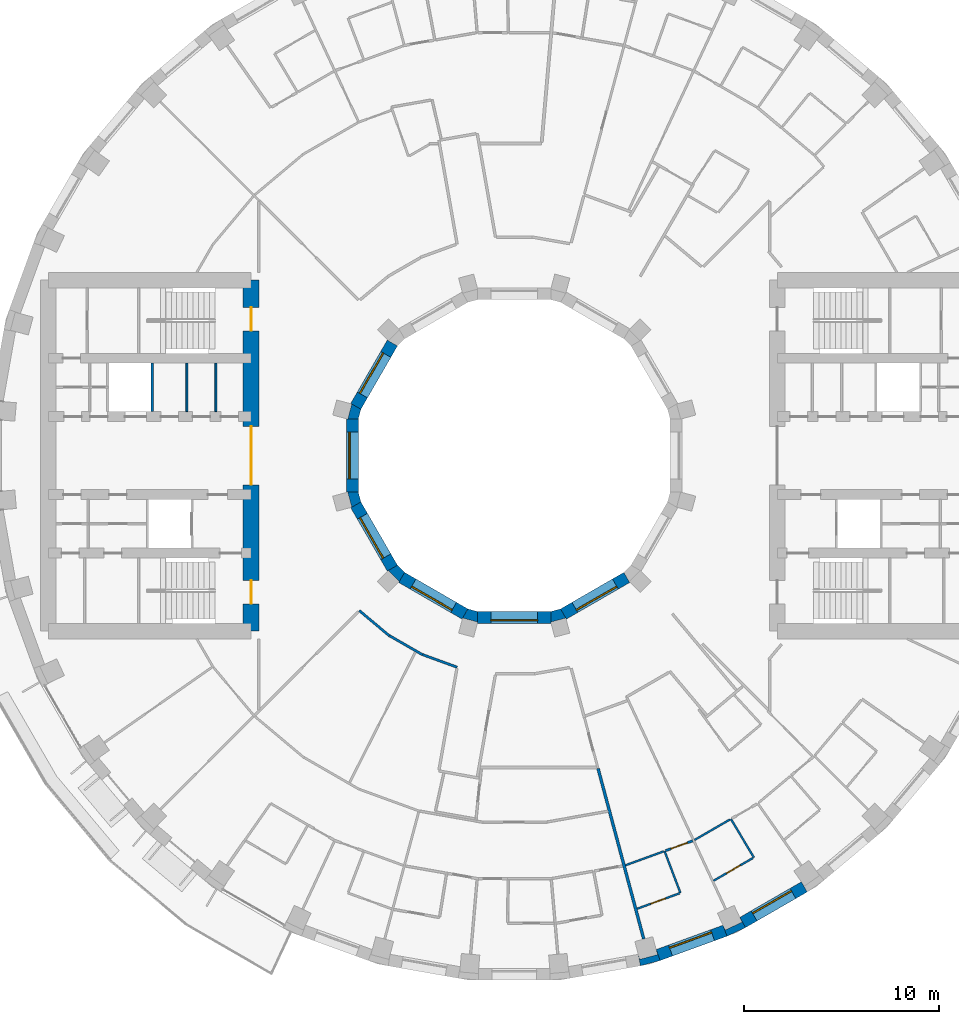
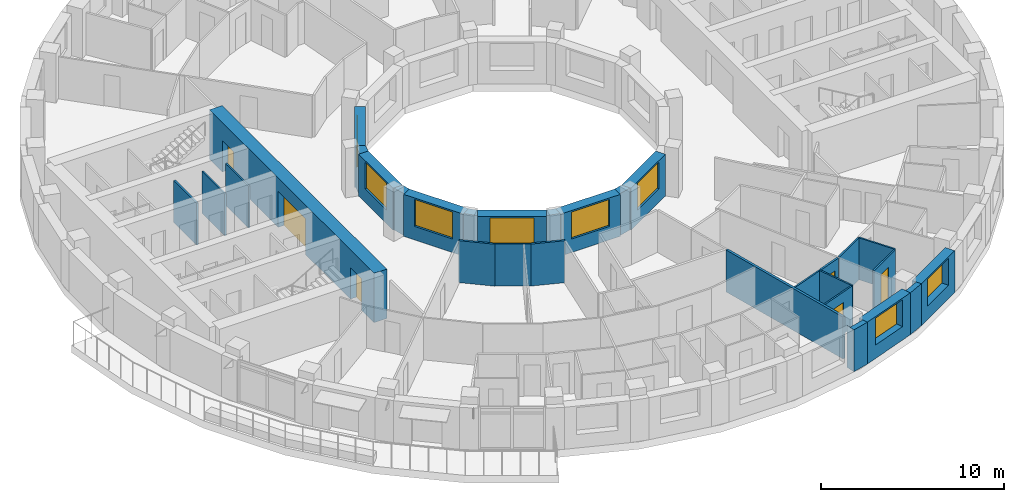
# One storey, part 7 of 16: 30 walls, 8 windows, 6 doors, 14 openings.
"""IFC4 building model written with IfcOpenShell, lengths in metres."""

import ifcopenshell
import ifcopenshell.guid

model = None  # the IFC model being written
_history = None  # IfcOwnerHistory: only IFC2X3 demands one
_inside = {}  # id of a spatial element -> (the spatial element, [elements in it])
_under = {}  # id of a project, library or spatial element -> (it, [spatial elements below it])
_declared = {}  # id of a project -> (the project, [libraries it declares])
_typed = {}  # id of a type object -> (the type object, [elements of that type])
_made_of = {}  # id of a material, layer set ... -> (it, [elements and type objects made of it])


def new_model(schema):
    """Start an empty IFC model of exactly this schema.

    Asked for "IFC4X3", IfcOpenShell would pick the latest addendum, in which some entities
    have other attributes; the version numbers below select the first issue.
    IFC2X3 requires an IfcOwnerHistory on every rooted entity: one is made here for all.
    """
    global model, _history
    if schema == "IFC4X3":
        model = ifcopenshell.file(schema_version=(4, 3, 0, 0))
    else:
        model = ifcopenshell.file(schema=schema)
    _inside.clear()
    _under.clear()
    _declared.clear()
    _typed.clear()
    _made_of.clear()
    _history = None
    if model.schema == "IFC2X3":
        org = make("IfcOrganization", Name="unknown")
        user = make(
            "IfcPersonAndOrganization",
            ThePerson=make("IfcPerson", FamilyName="unknown"),
            TheOrganization=org,
        )
        app = make(
            "IfcApplication",
            ApplicationDeveloper=org,
            Version="unknown",
            ApplicationFullName="unknown",
            ApplicationIdentifier="unknown",
        )
        _history = make(
            "IfcOwnerHistory",
            OwningUser=user,
            OwningApplication=app,
            ChangeAction="ADDED",
            CreationDate=0,
        )
    return model


def make(cls, **values):
    """One entity of the class cls with the attributes given. An attribute that is None is left unset."""
    return model.create_entity(
        cls, **{name: value for name, value in values.items() if value is not None}
    )


def rooted(cls, **values):
    """An entity with a GlobalId (a new one), such as an element, a storey or a relation."""
    return make(cls, GlobalId=ifcopenshell.guid.new(), OwnerHistory=_history, **values)


def si_unit(unit_type, name, prefix=None):
    """IfcSIUnit, for example si_unit("LENGTHUNIT", "METRE", prefix="MILLI")."""
    return make("IfcSIUnit", UnitType=unit_type, Prefix=prefix, Name=name)


def assignment(units):
    """IfcUnitAssignment: the units of a project."""
    return None if units is None else make("IfcUnitAssignment", Units=units)


def point(xyz):
    """IfcCartesianPoint."""
    return None if xyz is None else make("IfcCartesianPoint", Coordinates=xyz)


def direction(xyz):
    """IfcDirection."""
    return None if xyz is None else make("IfcDirection", DirectionRatios=xyz)


def frame(location, z_axis=None, x_axis=None):
    """IfcAxis2Placement3D, a coordinate frame: its origin and axes. An axis left out is left unset."""
    return make(
        "IfcAxis2Placement3D",
        Location=point(location),
        Axis=direction(z_axis),
        RefDirection=direction(x_axis),
    )


def frame_2d(location, x_axis=None):
    """IfcAxis2Placement2D, a coordinate frame in the plane: its origin and x axis."""
    return make(
        "IfcAxis2Placement2D", Location=point(location), RefDirection=direction(x_axis)
    )


def origin():
    """The frame at (0, 0, 0) with its axes left unset."""
    return frame((0.0, 0.0, 0.0))


def place(relative_to, where):
    """IfcLocalPlacement: puts the frame where relative to a parent placement (None: the world)."""
    return make(
        "IfcLocalPlacement", PlacementRelTo=relative_to, RelativePlacement=where
    )


def context(
    kind, dimensions, precision=None, world=None, true_north=None, identifier=None
):
    """IfcGeometricRepresentationContext, for example the 3D "Model" context."""
    return make(
        "IfcGeometricRepresentationContext",
        ContextIdentifier=identifier,
        ContextType=kind,
        CoordinateSpaceDimension=dimensions,
        Precision=precision,
        WorldCoordinateSystem=world,
        TrueNorth=true_north,
    )


def subcontext(parent, identifier, kind, view, scale=None):
    """IfcGeometricRepresentationSubContext, for example "Body" below "Model"."""
    return make(
        "IfcGeometricRepresentationSubContext",
        ContextIdentifier=identifier,
        ContextType=kind,
        ParentContext=parent,
        TargetScale=scale,
        TargetView=view,
    )


def project(units=None, contexts=None):
    """IfcProject with its units and contexts."""
    return rooted(
        "IfcProject",
        Name="project",
        RepresentationContexts=contexts,
        UnitsInContext=assignment(units),
    )


def spatial(cls, under=None, at=None, **own):
    """A site, building, storey or space (cls), placed at a placement, below another one or the project."""
    s = rooted(cls, ObjectPlacement=at, **own)
    if under is not None:
        _under.setdefault(under.id(), (under, []))[1].append(s)
    return s


def polyline(points):
    """IfcPolyline through the points."""
    return make("IfcPolyline", Points=[point(p) for p in points])


def profile(cls, at=None, kind="AREA", **sizes):
    """A parametric profile (cls). Its sizes go by their IFC names, for example OverallWidth=200.0."""
    return make(cls, ProfileType=kind, Position=at, **sizes)


def rectangle(**sizes):
    """IfcRectangleProfileDef."""
    return profile("IfcRectangleProfileDef", **sizes)


def outline(outer, holes=None, kind="AREA"):
    """IfcArbitraryClosedProfileDef: a profile drawn as a closed curve; with holes, ...WithVoids."""
    if holes is None:
        return make("IfcArbitraryClosedProfileDef", ProfileType=kind, OuterCurve=outer)
    return make(
        "IfcArbitraryProfileDefWithVoids",
        ProfileType=kind,
        OuterCurve=outer,
        InnerCurves=holes,
    )


def extrude(swept, where, along, depth):
    """IfcExtrudedAreaSolid: the profile swept, set in the frame where, extruded along a direction by depth."""
    return make(
        "IfcExtrudedAreaSolid",
        SweptArea=swept,
        Position=where,
        ExtrudedDirection=direction(along),
        Depth=depth,
    )


def shape(context_of_items, identifier, shape_type, items):
    """IfcShapeRepresentation: the items that make up one representation, for example the "Body"."""
    return make(
        "IfcShapeRepresentation",
        ContextOfItems=context_of_items,
        RepresentationIdentifier=identifier,
        RepresentationType=shape_type,
        Items=items,
    )


def material(Name=None, Category=None):
    """IfcMaterial."""
    return make("IfcMaterial", Name=Name, Category=Category)


def layer(
    of_material, thickness, ventilated=None, Name=None, Category=None, Priority=None
):
    """IfcMaterialLayer: one layer of a wall or slab, of a material (None: an air gap)."""
    return make(
        "IfcMaterialLayer",
        Material=of_material,
        LayerThickness=thickness,
        IsVentilated=ventilated,
        Name=Name,
        Category=Category,
        Priority=Priority,
    )


def layer_set(layers, Name=None):
    """IfcMaterialLayerSet."""
    return make("IfcMaterialLayerSet", MaterialLayers=layers, LayerSetName=Name)


def made_of(thing, what):
    """Note that an element or type object is made of a material, layer set ...; save() writes the relation."""
    if what is not None:
        _made_of.setdefault(what.id(), (what, []))[1].append(thing)
    return thing


def type_object(cls, material=None, **own):
    """A type object (cls), such as IfcWallType, which elements share."""
    return made_of(rooted(cls, **own), material)


def element(
    cls,
    number,
    at=None,
    inside=None,
    cuts=None,
    type_object=None,
    material=None,
    context=None,
    identifier="Body",
    shape_type=None,
    held_by="IfcProductDefinitionShape",
    body=None,
    shapes=None,
    **own,
):
    """One element of the class cls, such as IfcWall. Its Tag is "e" and its number.

    at: its placement. inside: the storey or other place that contains it. cuts: it is an
    opening in that element (IfcRelVoidsElement). A single representation is given by context,
    identifier, shape_type and body (its items); several are given by shapes. held_by: the class
    of the entity that holds the representations. save() writes the other relations.
    """
    e = rooted(cls, Tag="e%d" % number, ObjectPlacement=at, **own)
    if body is not None:
        shapes = [shape(context, identifier, shape_type, body)]
    if shapes is not None:
        e.Representation = make(held_by, Representations=shapes)
    if inside is not None:
        _inside.setdefault(inside.id(), (inside, []))[1].append(e)
    if cuts is not None:
        rooted(
            "IfcRelVoidsElement", RelatingBuildingElement=cuts, RelatedOpeningElement=e
        )
    if type_object is not None:
        _typed.setdefault(type_object.id(), (type_object, []))[1].append(e)
    return made_of(e, material)


def fill(opening, filler):
    """IfcRelFillsElement: the door or window that sits in an opening."""
    return rooted(
        "IfcRelFillsElement",
        RelatingOpeningElement=opening,
        RelatedBuildingElement=filler,
    )


def aggregate(whole, parts):
    """IfcRelAggregates: a whole, such as a stair, and the parts it consists of."""
    return rooted("IfcRelAggregates", RelatingObject=whole, RelatedObjects=parts)


def save(model, path):
    """Write the relations noted so far, then the file.

    IfcRelAggregates (storeys below a building ...), IfcRelContainedInSpatialStructure (elements
    in a storey), IfcRelDefinesByType, IfcRelAssociatesMaterial and IfcRelDeclares: one each for
    every whole, place, type object, material and project.
    """
    for whole, parts in _under.values():
        aggregate(whole, parts)
    for where, things in _inside.values():
        rooted(
            "IfcRelContainedInSpatialStructure",
            RelatedElements=things,
            RelatingStructure=where,
        )
    for kind, things in _typed.values():
        rooted("IfcRelDefinesByType", RelatedObjects=things, RelatingType=kind)
    for what, things in _made_of.values():
        rooted("IfcRelAssociatesMaterial", RelatedObjects=things, RelatingMaterial=what)
    for by, libraries in _declared.values():
        rooted("IfcRelDeclares", RelatingContext=by, RelatedDefinitions=libraries)
    model.write(path)


model = new_model("IFC4")

# Units and contexts
model_context = context("Model", 3, precision=1e-05, world=origin(), true_north=direction((0.0, 1.0)))
body_context = subcontext(model_context, "Body", "Model", "MODEL_VIEW")
ifc_project = project(units=[si_unit("LENGTHUNIT", "METRE"), si_unit("AREAUNIT", "SQUARE_METRE"), si_unit("VOLUMEUNIT", "CUBIC_METRE"), si_unit("PLANEANGLEUNIT", "RADIAN"), si_unit("MASSUNIT", "GRAM", prefix="KILO")], contexts=[model_context])

# Site, building, storey
site_placement = place(None, origin())
site = spatial("IfcSite", under=ifc_project, at=site_placement, CompositionType="ELEMENT")
building_placement = place(site_placement, origin())
building = spatial("IfcBuilding", under=site, at=building_placement, Name="Saqina Gate Tower", CompositionType="ELEMENT")
storey_placement = place(building_placement, frame((0.0, 0.0, 124.89990234375)))
storey = spatial("IfcBuildingStorey", under=building, at=storey_placement, Name="L35", CompositionType="ELEMENT", Elevation=124.89990234375)

# Walls
ifc_material_1 = material(Name="Brick masonry (buff)", Category="masonry")
wall_type_1 = type_object("IfcWallType", Name="BRICK PIER COPING BUFF", PredefinedType="SOLIDWALL", material=ifc_material_1)
wall_1_placement = place(storey_placement, origin())
element("IfcWall", 1, at=wall_1_placement, inside=storey, type_object=wall_type_1, Name="Pier cap L35 column 29", PredefinedType="SOLIDWALL", context=body_context, shape_type="SweptSolid", body=[
    extrude(outline(polyline([(6.466796875, -26.171875), (7.485595703125, -25.89892578125), (7.2802734375, -25.335205078125), (7.349853515625, -25.5947265625), (6.43212890625, -25.8408203125), (6.36279296875, -25.5810546875), (6.466796875, -26.171875)])), origin(), (0.0, 0.0, 1.0), 2.800048828125),
])
wall_2_placement = place(storey_placement, origin())
element("IfcWall", 2, at=wall_2_placement, inside=storey, type_object=wall_type_1, Name="Pier cap L35 column 30", PredefinedType="SOLIDWALL", context=body_context, shape_type="SweptSolid", body=[
    extrude(outline(polyline([(10.913330078125, -24.6513671875), (11.869140625, -24.205810546875), (11.569091796875, -23.68603515625), (11.6826171875, -23.9296875), (10.82177734375, -24.331298828125), (10.7080078125, -24.08740234375), (10.913330078125, -24.6513671875)])), origin(), (0.0, 0.0, 1.0), 2.800048828125),
])
ifc_material_2 = material(Name="Gypsum board on steel studs", Category="steel")
ifc_layer_1 = layer(ifc_material_2, 0.10009765625)
ifc_layer_set_1 = layer_set([ifc_layer_1], Name="CORE PARTITION")
wall_type_2 = type_object("IfcWallType", Name="CORE PARTITION", PredefinedType="PARTITIONING", material=ifc_layer_set_1)
for number, where, z_axis, x_axis, name in (
    (3, (-15.298095703125, 2.25, 0.0), (0.0, 0.0, 1.0), (0.0, 1.0, 0.0), "L35-CP-W01"),
    (4, (-16.789306640625, 2.25, 0.0), (0.0, 0.0, 1.0), (0.0, 1.0, 0.0), "L35-CP-W02"),
):
    element("IfcWall", number, at=place(storey_placement, frame(where, z_axis=z_axis, x_axis=x_axis)), inside=storey, type_object=wall_type_2, Name=name, PredefinedType="PARTITIONING", context=body_context, shape_type="SweptSolid", body=[
        extrude(rectangle(XDim=2.5, YDim=0.10009765625, at=frame_2d((1.25, 0.0))), origin(), (0.0, 0.0, 1.0), 2.800048828125),
    ])

# Wall, opening, window
ifc_material_3 = material(Name="Brick masonry (buff)", Category="masonry")
ifc_layer_2 = layer(ifc_material_3, 0.60009765625)
ifc_layer_set_2 = layer_set([ifc_layer_2], Name="FW-BRICK-BUFF")
wall_type_3 = type_object("IfcWallType", Name="FW-BRICK-BUFF", PredefinedType="SOLIDWALL", material=ifc_layer_set_2)
wall_3_placement = place(storey_placement, frame((7.3828125, -25.616943359375, 0.0), z_axis=(0.0, 0.0, 1.0), x_axis=(0.939703505393, 0.341990236633, 0.0)))
wall_3 = element("IfcWall", 5, at=wall_3_placement, inside=storey, type_object=wall_type_3, Name="Facade wall L35 facet 29", PredefinedType="SOLIDWALL", context=body_context, shape_type="SweptSolid", body=[
    extrude(rectangle(XDim=3.64794921875, YDim=0.60009765625, at=frame_2d((1.823974609375, 0.0))), origin(), (0.0, 0.0, 1.0), 2.800048828125),
])
opening_1_placement = place(wall_3_placement, frame((0.673828125, 0.0, 0.89990234375)))
opening_1 = element("IfcOpeningElement", 6, at=opening_1_placement, cuts=wall_3, Name="Opening G10-W18", PredefinedType="OPENING", context=body_context, shape_type="SweptSolid", body=[
    extrude(rectangle(XDim=2.300048828125, YDim=1.800048828125, at=frame_2d((1.14990234375, 0.89990234375))), frame((0.0, 0.31201171875, 0.0), z_axis=(0.0, -1.0, 0.0), x_axis=(1.0, 0.0, 0.0)), (0.0, 0.0, 1.0), 0.6240234375),
])
ifc_material_4 = material(Name="Aluminium glazing", Category="aluminium")
window_type_1 = type_object("IfcWindowType", Name="WN-B", PartitioningType="SINGLE_PANEL", PredefinedType="WINDOW", material=ifc_material_4)
window_1_placement = place(opening_1_placement, origin())
window_1 = element("IfcWindow", 7, at=window_1_placement, inside=storey, type_object=window_type_1, Name="Window L35 facet 29", OverallHeight=1.800048828125, OverallWidth=2.300048828125, PartitioningType="SINGLE_PANEL", PredefinedType="WINDOW", context=body_context, shape_type="SweptSolid", body=[
    extrude(rectangle(XDim=2.300048828125, YDim=1.800048828125, at=frame_2d((1.14990234375, 0.89990234375))), frame((0.0, 0.179931640625, 0.0), z_axis=(0.0, -1.0, 0.0), x_axis=(1.0, 0.0, 0.0)), (0.0, 0.0, 1.0), 0.06005859375),
])
fill(opening_1, window_1)

wall_4_placement = place(storey_placement, frame((11.718994140625, -23.94580078125, 0.0), z_axis=(0.0, 0.0, 1.0), x_axis=(0.866051847062, 0.499954196102, 0.0)))
wall_4 = element("IfcWall", 8, at=wall_4_placement, inside=storey, type_object=wall_type_3, Name="Facade wall L35 facet 30", PredefinedType="SOLIDWALL", context=body_context, shape_type="SweptSolid", body=[
    extrude(rectangle(XDim=3.647705078125, YDim=0.60009765625, at=frame_2d((1.82373046875, 0.0))), origin(), (0.0, 0.0, 1.0), 2.800048828125),
])
opening_2_placement = place(wall_4_placement, frame((0.673828125, 0.0, 0.89990234375)))
opening_2 = element("IfcOpeningElement", 9, at=opening_2_placement, cuts=wall_4, Name="Opening G10-W19", PredefinedType="OPENING", context=body_context, shape_type="SweptSolid", body=[
    extrude(rectangle(XDim=2.300048828125, YDim=1.800048828125, at=frame_2d((1.14990234375, 0.89990234375))), frame((0.0, 0.31201171875, 0.0), z_axis=(0.0, -1.0, 0.0), x_axis=(1.0, 0.0, 0.0)), (0.0, 0.0, 1.0), 0.6240234375),
])
window_2_placement = place(opening_2_placement, origin())
window_2 = element("IfcWindow", 10, at=window_2_placement, inside=storey, type_object=window_type_1, Name="Window L35 facet 30", OverallHeight=1.800048828125, OverallWidth=2.300048828125, PartitioningType="SINGLE_PANEL", PredefinedType="WINDOW", context=body_context, shape_type="SweptSolid", body=[
    extrude(rectangle(XDim=2.300048828125, YDim=1.800048828125, at=frame_2d((1.14990234375, 0.89990234375))), frame((0.0, 0.179931640625, 0.0), z_axis=(0.0, -1.0, 0.0), x_axis=(1.0, 0.0, 0.0)), (0.0, 0.0, 1.0), 0.06005859375),
])
fill(opening_2, window_2)

ifc_material_5 = material(Name="Glazed ceramic tile", Category="ceramic")
ifc_layer_3 = layer(ifc_material_5, 0.60009765625)
ifc_layer_set_3 = layer_set([ifc_layer_3], Name="IW-TILE")
wall_type_4 = type_object("IfcWallType", Name="IW-TILE", PredefinedType="SOLIDWALL", material=ifc_layer_set_3)
wall_5_placement = place(storey_placement, frame((-6.251220703125, 5.772705078125, 0.0), z_axis=(0.0, 0.0, 1.0), x_axis=(-0.499964958637, -0.86604563398, 0.0)))
wall_5 = element("IfcWall", 11, at=wall_5_placement, inside=storey, type_object=wall_type_4, Name="Well wall L35 facet 5", PredefinedType="SOLIDWALL", context=body_context, shape_type="SweptSolid", body=[
    extrude(rectangle(XDim=3.747314453125, YDim=0.60009765625, at=frame_2d((1.87353515625, 0.0))), origin(), (0.0, 0.0, 1.0), 2.800048828125),
])
opening_3_placement = place(wall_5_placement, frame((0.673583984375, 0.0, 0.89990234375)))
opening_3 = element("IfcOpeningElement", 12, at=opening_3_placement, cuts=wall_5, Name="Opening G10-W27", PredefinedType="OPENING", context=body_context, shape_type="SweptSolid", body=[
    extrude(rectangle(XDim=2.39990234375, YDim=1.800048828125, at=frame_2d((1.199951171875, 0.89990234375))), frame((0.0, 0.31201171875, 0.0), z_axis=(0.0, -1.0, 0.0), x_axis=(1.0, 0.0, 0.0)), (0.0, 0.0, 1.0), 0.6240234375),
])
ifc_material_6 = material(Name="Aluminium glazing", Category="aluminium")
window_type_2 = type_object("IfcWindowType", Name="WN-W", PartitioningType="SINGLE_PANEL", PredefinedType="WINDOW", material=ifc_material_6)
window_3_placement = place(opening_3_placement, origin())
window_3 = element("IfcWindow", 13, at=window_3_placement, inside=storey, type_object=window_type_2, Name="Well window L35 facet 5", OverallHeight=1.800048828125, OverallWidth=2.39990234375, PartitioningType="SINGLE_PANEL", PredefinedType="WINDOW", context=body_context, shape_type="SweptSolid", body=[
    extrude(rectangle(XDim=2.39990234375, YDim=1.800048828125, at=frame_2d((1.199951171875, 0.89990234375))), frame((0.0, -0.119873046875, 0.0), z_axis=(0.0, -1.0, 0.0), x_axis=(1.0, 0.0, 0.0)), (0.0, 0.0, 1.0), 0.06005859375),
])
fill(opening_3, window_3)

wall_6_placement = place(storey_placement, frame((-8.300048828125, 1.873779296875, 0.0), z_axis=(0.0, 0.0, 1.0), x_axis=(0.0, -1.0, 0.0)))
wall_6 = element("IfcWall", 14, at=wall_6_placement, inside=storey, type_object=wall_type_4, Name="Well wall L35 facet 6", PredefinedType="SOLIDWALL", context=body_context, shape_type="SweptSolid", body=[
    extrude(rectangle(XDim=3.74755859375, YDim=0.60009765625, at=frame_2d((1.873779296875, 0.0))), origin(), (0.0, 0.0, 1.0), 2.800048828125),
])
opening_4_placement = place(wall_6_placement, frame((0.673583984375, 0.0, 0.89990234375)))
opening_4 = element("IfcOpeningElement", 15, at=opening_4_placement, cuts=wall_6, Name="Opening G10-W28", PredefinedType="OPENING", context=body_context, shape_type="SweptSolid", body=[
    extrude(rectangle(XDim=2.39990234375, YDim=1.800048828125, at=frame_2d((1.199951171875, 0.89990234375))), frame((0.0, 0.31201171875, 0.0), z_axis=(0.0, -1.0, 0.0), x_axis=(1.0, 0.0, 0.0)), (0.0, 0.0, 1.0), 0.6240234375),
])
window_4_placement = place(opening_4_placement, origin())
window_4 = element("IfcWindow", 16, at=window_4_placement, inside=storey, type_object=window_type_2, Name="Well window L35 facet 6", OverallHeight=1.800048828125, OverallWidth=2.39990234375, PartitioningType="SINGLE_PANEL", PredefinedType="WINDOW", context=body_context, shape_type="SweptSolid", body=[
    extrude(rectangle(XDim=2.39990234375, YDim=1.800048828125, at=frame_2d((1.199951171875, 0.89990234375))), frame((0.0, -0.119873046875, 0.0), z_axis=(0.0, -1.0, 0.0), x_axis=(1.0, 0.0, 0.0)), (0.0, 0.0, 1.0), 0.06005859375),
])
fill(opening_4, window_4)

wall_7_placement = place(storey_placement, frame((-8.124755859375, -2.52734375, 0.0), z_axis=(0.0, 0.0, 1.0), x_axis=(0.499964958637, -0.86604563398, 0.0)))
wall_7 = element("IfcWall", 17, at=wall_7_placement, inside=storey, type_object=wall_type_4, Name="Well wall L35 facet 7", PredefinedType="SOLIDWALL", context=body_context, shape_type="SweptSolid", body=[
    extrude(rectangle(XDim=3.747314453125, YDim=0.60009765625, at=frame_2d((1.87353515625, 0.0))), origin(), (0.0, 0.0, 1.0), 2.800048828125),
])
opening_5_placement = place(wall_7_placement, frame((0.673583984375, 0.0, 0.89990234375)))
opening_5 = element("IfcOpeningElement", 18, at=opening_5_placement, cuts=wall_7, Name="Opening G10-W29", PredefinedType="OPENING", context=body_context, shape_type="SweptSolid", body=[
    extrude(rectangle(XDim=2.39990234375, YDim=1.800048828125, at=frame_2d((1.199951171875, 0.89990234375))), frame((0.0, 0.31201171875, 0.0), z_axis=(0.0, -1.0, 0.0), x_axis=(1.0, 0.0, 0.0)), (0.0, 0.0, 1.0), 0.6240234375),
])
window_5_placement = place(opening_5_placement, origin())
window_5 = element("IfcWindow", 19, at=window_5_placement, inside=storey, type_object=window_type_2, Name="Well window L35 facet 7", OverallHeight=1.800048828125, OverallWidth=2.39990234375, PartitioningType="SINGLE_PANEL", PredefinedType="WINDOW", context=body_context, shape_type="SweptSolid", body=[
    extrude(rectangle(XDim=2.39990234375, YDim=1.800048828125, at=frame_2d((1.199951171875, 0.89990234375))), frame((0.0, -0.119873046875, 0.0), z_axis=(0.0, -1.0, 0.0), x_axis=(1.0, 0.0, 0.0)), (0.0, 0.0, 1.0), 0.06005859375),
])
fill(opening_5, window_5)

wall_8_placement = place(storey_placement, frame((-5.772705078125, -6.251220703125, 0.0), z_axis=(0.0, 0.0, 1.0), x_axis=(0.86604563398, -0.499964958637, 0.0)))
wall_8 = element("IfcWall", 20, at=wall_8_placement, inside=storey, type_object=wall_type_4, Name="Well wall L35 facet 8", PredefinedType="SOLIDWALL", context=body_context, shape_type="SweptSolid", body=[
    extrude(rectangle(XDim=3.747314453125, YDim=0.60009765625, at=frame_2d((1.87353515625, 0.0))), origin(), (0.0, 0.0, 1.0), 2.800048828125),
])
opening_6_placement = place(wall_8_placement, frame((0.673583984375, 0.0, 0.89990234375)))
opening_6 = element("IfcOpeningElement", 21, at=opening_6_placement, cuts=wall_8, Name="Opening G10-W30", PredefinedType="OPENING", context=body_context, shape_type="SweptSolid", body=[
    extrude(rectangle(XDim=2.39990234375, YDim=1.800048828125, at=frame_2d((1.199951171875, 0.89990234375))), frame((0.0, 0.31201171875, 0.0), z_axis=(0.0, -1.0, 0.0), x_axis=(1.0, 0.0, 0.0)), (0.0, 0.0, 1.0), 0.6240234375),
])
window_6_placement = place(opening_6_placement, origin())
window_6 = element("IfcWindow", 22, at=window_6_placement, inside=storey, type_object=window_type_2, Name="Well window L35 facet 8", OverallHeight=1.800048828125, OverallWidth=2.39990234375, PartitioningType="SINGLE_PANEL", PredefinedType="WINDOW", context=body_context, shape_type="SweptSolid", body=[
    extrude(rectangle(XDim=2.39990234375, YDim=1.800048828125, at=frame_2d((1.199951171875, 0.89990234375))), frame((0.0, -0.119873046875, 0.0), z_axis=(0.0, -1.0, 0.0), x_axis=(1.0, 0.0, 0.0)), (0.0, 0.0, 1.0), 0.06005859375),
])
fill(opening_6, window_6)

wall_9_placement = place(storey_placement, frame((-1.873779296875, -8.300048828125, 0.0), z_axis=(0.0, 0.0, 1.0), x_axis=(1.0, 0.0, 0.0)))
wall_9 = element("IfcWall", 23, at=wall_9_placement, inside=storey, type_object=wall_type_4, Name="Well wall L35 facet 9", PredefinedType="SOLIDWALL", context=body_context, shape_type="SweptSolid", body=[
    extrude(rectangle(XDim=3.74755859375, YDim=0.60009765625, at=frame_2d((1.873779296875, 0.0))), origin(), (0.0, 0.0, 1.0), 2.800048828125),
])
opening_7_placement = place(wall_9_placement, frame((0.673583984375, 0.0, 0.89990234375)))
opening_7 = element("IfcOpeningElement", 24, at=opening_7_placement, cuts=wall_9, Name="Opening G10-W31", PredefinedType="OPENING", context=body_context, shape_type="SweptSolid", body=[
    extrude(rectangle(XDim=2.39990234375, YDim=1.800048828125, at=frame_2d((1.199951171875, 0.89990234375))), frame((0.0, 0.31201171875, 0.0), z_axis=(0.0, -1.0, 0.0), x_axis=(1.0, 0.0, 0.0)), (0.0, 0.0, 1.0), 0.6240234375),
])
window_7_placement = place(opening_7_placement, origin())
window_7 = element("IfcWindow", 25, at=window_7_placement, inside=storey, type_object=window_type_2, Name="Well window L35 facet 9", OverallHeight=1.800048828125, OverallWidth=2.39990234375, PartitioningType="SINGLE_PANEL", PredefinedType="WINDOW", context=body_context, shape_type="SweptSolid", body=[
    extrude(rectangle(XDim=2.39990234375, YDim=1.800048828125, at=frame_2d((1.199951171875, 0.89990234375))), frame((0.0, -0.119873046875, 0.0), z_axis=(0.0, -1.0, 0.0), x_axis=(1.0, 0.0, 0.0)), (0.0, 0.0, 1.0), 0.06005859375),
])
fill(opening_7, window_7)

wall_10_placement = place(storey_placement, frame((2.52734375, -8.124755859375, 0.0), z_axis=(0.0, 0.0, 1.0), x_axis=(0.86604563398, 0.499964958637, 0.0)))
wall_10 = element("IfcWall", 26, at=wall_10_placement, inside=storey, type_object=wall_type_4, Name="Well wall L35 facet 10", PredefinedType="SOLIDWALL", context=body_context, shape_type="SweptSolid", body=[
    extrude(rectangle(XDim=3.747314453125, YDim=0.60009765625, at=frame_2d((1.87353515625, 0.0))), origin(), (0.0, 0.0, 1.0), 2.800048828125),
])
opening_8_placement = place(wall_10_placement, frame((0.673583984375, 0.0, 0.89990234375)))
opening_8 = element("IfcOpeningElement", 27, at=opening_8_placement, cuts=wall_10, Name="Opening G10-W32", PredefinedType="OPENING", context=body_context, shape_type="SweptSolid", body=[
    extrude(rectangle(XDim=2.39990234375, YDim=1.800048828125, at=frame_2d((1.199951171875, 0.89990234375))), frame((0.0, 0.31201171875, 0.0), z_axis=(0.0, -1.0, 0.0), x_axis=(1.0, 0.0, 0.0)), (0.0, 0.0, 1.0), 0.6240234375),
])
window_8_placement = place(opening_8_placement, origin())
window_8 = element("IfcWindow", 28, at=window_8_placement, inside=storey, type_object=window_type_2, Name="Well window L35 facet 10", OverallHeight=1.800048828125, OverallWidth=2.39990234375, PartitioningType="SINGLE_PANEL", PredefinedType="WINDOW", context=body_context, shape_type="SweptSolid", body=[
    extrude(rectangle(XDim=2.39990234375, YDim=1.800048828125, at=frame_2d((1.199951171875, 0.89990234375))), frame((0.0, -0.119873046875, 0.0), z_axis=(0.0, -1.0, 0.0), x_axis=(1.0, 0.0, 0.0)), (0.0, 0.0, 1.0), 0.06005859375),
])
fill(opening_8, window_8)

# Walls
ifc_material_7 = material(Name="Gypsum board on steel studs, 100 mm", Category="steel")
ifc_layer_4 = layer(ifc_material_7, 0.10009765625)
ifc_layer_set_4 = layer_set([ifc_layer_4], Name="PARTITION 100")
wall_type_5 = type_object("IfcWallType", Name="PARTITION 100", PredefinedType="PARTITIONING", material=ifc_layer_set_4)
wall_11_placement = place(storey_placement, frame((7.708984375, -20.283935546875, 0.0), z_axis=(0.0, 0.0, 1.0), x_axis=(0.355156544563, -0.934806840397, 0.0)))
element("IfcWall", 29, at=wall_11_placement, inside=storey, type_object=wall_type_5, Name="PARTITION PW3-11", PredefinedType="PARTITIONING", context=body_context, shape_type="SweptSolid", body=[
    extrude(rectangle(XDim=2.300048828125, YDim=0.10009765625, at=frame_2d((1.14990234375, 0.0))), origin(), (0.0, 0.0, 1.0), 2.800048828125),
])
wall_12_placement = place(storey_placement, frame((11.114013671875, -18.636962890625, 0.0), z_axis=(0.0, 0.0, 1.0), x_axis=(0.512043462342, -0.858959540766, 0.0)))
element("IfcWall", 30, at=wall_12_placement, inside=storey, type_object=wall_type_5, Name="PARTITION PW3-18", PredefinedType="PARTITIONING", context=body_context, shape_type="SweptSolid", body=[
    extrude(rectangle(XDim=2.300537109375, YDim=0.10009765625, at=frame_2d((1.150390625, 0.0))), origin(), (0.0, 0.0, 1.0), 2.800048828125),
])

# Wall, opening, door
wall_13_placement = place(storey_placement, frame((6.305419921875, -23.242431640625, 0.0), z_axis=(0.0, 0.0, 1.0), x_axis=(0.939673181972, 0.342073546307, 0.0)))
wall_13 = element("IfcWall", 31, at=wall_13_placement, inside=storey, type_object=wall_type_5, Name="PARTITION PW3-63", PredefinedType="PARTITIONING", context=body_context, shape_type="SweptSolid", body=[
    extrude(rectangle(XDim=2.313232421875, YDim=0.10009765625, at=frame_2d((1.15673828125, 0.0))), origin(), (0.0, 0.0, 1.0), 2.800048828125),
])
opening_9_placement = place(wall_13_placement, frame((0.743896484375, 0.0, 0.0)))
opening_9 = element("IfcOpeningElement", 32, at=opening_9_placement, cuts=wall_13, Name="Opening G10-D48", PredefinedType="OPENING", context=body_context, shape_type="SweptSolid", body=[
    extrude(rectangle(XDim=0.800048828125, YDim=2.10009765625, at=frame_2d((0.39990234375, 1.050048828125))), frame((0.0, 0.06201171875, 0.0), z_axis=(0.0, -1.0, 0.0), x_axis=(1.0, 0.0, 0.0)), (0.0, 0.0, 1.0), 0.1240234375),
])
ifc_material_8 = material(Name="Timber door leaf, 800 mm", Category="wood")
door_type_1 = type_object("IfcDoorType", Name="DOOR 800 TIMBER", OperationType="SINGLE_SWING_LEFT", PredefinedType="DOOR", material=ifc_material_8)
door_1_placement = place(opening_9_placement, frame((0.800048828125, 0.0, 0.0), z_axis=(0.0, 0.0, 1.0), x_axis=(-1.0, 0.0, 0.0)))
door_1 = element("IfcDoor", 33, at=door_1_placement, inside=storey, type_object=door_type_1, Name="DOOR G10-D48", OperationType="SINGLE_SWING_RIGHT", OverallHeight=2.10009765625, OverallWidth=0.800048828125, PredefinedType="DOOR", context=body_context, shape_type="SweptSolid", body=[
    extrude(rectangle(XDim=0.800048828125, YDim=2.10009765625, at=frame_2d((0.39990234375, 1.050048828125))), frame((0.0, 0.02490234375, 0.0), z_axis=(0.0, -1.0, 0.0), x_axis=(1.0, 0.0, 0.0)), (0.0, 0.0, 1.0), 0.050048828125),
])
fill(opening_9, door_1)

# Wall
wall_14_placement = place(storey_placement, frame((5.70751953125, -21.012451171875, 0.0), z_axis=(0.0, 0.0, 1.0), x_axis=(0.939690572239, 0.342025771609, 0.0)))
element("IfcWall", 34, at=wall_14_placement, inside=storey, type_object=wall_type_5, Name="PARTITION PW3-64", PredefinedType="PARTITIONING", context=body_context, shape_type="SweptSolid", body=[
    extrude(rectangle(XDim=2.080078125, YDim=0.10009765625, at=frame_2d((1.0400390625, 0.0))), origin(), (0.0, 0.0, 1.0), 2.800048828125),
])

# Wall, opening, door
wall_15_placement = place(storey_placement, frame((10.2236328125, -21.806884765625, 0.0), z_axis=(0.0, 0.0, 1.0), x_axis=(0.866076057046, 0.499912255713, 0.0)))
wall_15 = element("IfcWall", 35, at=wall_15_placement, inside=storey, type_object=wall_type_5, Name="PARTITION PW3-69", PredefinedType="PARTITIONING", context=body_context, shape_type="SweptSolid", body=[
    extrude(rectangle(XDim=2.33837890625, YDim=0.10009765625, at=frame_2d((1.169189453125, 0.0))), origin(), (0.0, 0.0, 1.0), 2.800048828125),
])
opening_10_placement = place(wall_15_placement, frame((0.768798828125, 0.0, 0.0)))
opening_10 = element("IfcOpeningElement", 36, at=opening_10_placement, cuts=wall_15, Name="Opening G10-D51", PredefinedType="OPENING", context=body_context, shape_type="SweptSolid", body=[
    extrude(rectangle(XDim=0.800048828125, YDim=2.10009765625, at=frame_2d((0.39990234375, 1.050048828125))), frame((0.0, 0.06201171875, 0.0), z_axis=(0.0, -1.0, 0.0), x_axis=(1.0, 0.0, 0.0)), (0.0, 0.0, 1.0), 0.1240234375),
])
door_2_placement = place(opening_10_placement, frame((0.800048828125, 0.0, 0.0), z_axis=(0.0, 0.0, 1.0), x_axis=(-1.0, 0.0, 0.0)))
door_2 = element("IfcDoor", 37, at=door_2_placement, inside=storey, type_object=door_type_1, Name="DOOR G10-D51", OperationType="SINGLE_SWING_RIGHT", OverallHeight=2.10009765625, OverallWidth=0.800048828125, PredefinedType="DOOR", context=body_context, shape_type="SweptSolid", body=[
    extrude(rectangle(XDim=0.800048828125, YDim=2.10009765625, at=frame_2d((0.39990234375, 1.050048828125))), frame((0.0, 0.02490234375, 0.0), z_axis=(0.0, -1.0, 0.0), x_axis=(1.0, 0.0, 0.0)), (0.0, 0.0, 1.0), 0.050048828125),
])
fill(opening_10, door_2)

# Walls
wall_16_placement = place(storey_placement, frame((9.248291015625, -19.715087890625, 0.0), z_axis=(0.0, 0.0, 1.0), x_axis=(0.865870655861, 0.50026793553, 0.0)))
element("IfcWall", 38, at=wall_16_placement, inside=storey, type_object=wall_type_5, Name="PARTITION PW3-70", PredefinedType="PARTITIONING", context=body_context, shape_type="SweptSolid", body=[
    extrude(rectangle(XDim=2.104736328125, YDim=0.10009765625, at=frame_2d((1.05224609375, 0.0))), origin(), (0.0, 0.0, 1.0), 2.800048828125),
])
ifc_material_9 = material(Name="Gypsum board on steel studs, 125 mm, fire rated", Category="steel")
ifc_layer_5 = layer(ifc_material_9, 0.125)
ifc_layer_set_5 = layer_set([ifc_layer_5], Name="PARTITION EI 30 125")
wall_type_6 = type_object("IfcWallType", Name="PARTITION EI 30 125", PredefinedType="PARTITIONING", material=ifc_layer_set_5)
wall_17_placement = place(storey_placement, frame((-7.947998046875, -7.947998046875, 0.0), z_axis=(0.0, 0.0, 1.0), x_axis=(0.765990176891, -0.642852276115, 0.0)))
element("IfcWall", 39, at=wall_17_placement, inside=storey, type_object=wall_type_6, Name="PARTITION PW1-11", PredefinedType="PARTITIONING", context=body_context, shape_type="SweptSolid", body=[
    extrude(rectangle(XDim=2.022216796875, YDim=0.125, at=frame_2d((1.01123046875, 0.0))), origin(), (0.0, 0.0, 1.0), 2.800048828125),
])
wall_18_placement = place(storey_placement, frame((-6.393798828125, -9.2392578125, 0.0), z_axis=(0.0, 0.0, 1.0), x_axis=(0.866328596722, -0.499474486338, 0.0)))
element("IfcWall", 40, at=wall_18_placement, inside=storey, type_object=wall_type_6, Name="PARTITION PW1-16", PredefinedType="PARTITIONING", context=body_context, shape_type="SweptSolid", body=[
    extrude(rectangle(XDim=1.96044921875, YDim=0.125, at=frame_2d((0.980224609375, 0.0))), origin(), (0.0, 0.0, 1.0), 2.800048828125),
])
wall_19_placement = place(storey_placement, frame((-4.6923828125, -10.21044921875, 0.0), z_axis=(0.0, 0.0, 1.0), x_axis=(0.939424480892, -0.342755955019, 0.0)))
element("IfcWall", 41, at=wall_19_placement, inside=storey, type_object=wall_type_6, Name="PARTITION PW1-21", PredefinedType="PARTITIONING", context=body_context, shape_type="SweptSolid", body=[
    extrude(rectangle(XDim=1.876953125, YDim=0.125, at=frame_2d((0.9384765625, 0.0))), origin(), (0.0, 0.0, 1.0), 2.800048828125),
])

# Wall, opening, door
wall_20_placement = place(storey_placement, frame((7.756103515625, -20.266845703125, 0.0), z_axis=(0.0, 0.0, 1.0), x_axis=(0.939793423488, 0.341743063087, 0.0)))
wall_20 = element("IfcWall", 42, at=wall_20_placement, inside=storey, type_object=wall_type_6, Name="PARTITION PW1-35", PredefinedType="PARTITIONING", context=body_context, shape_type="SweptSolid", body=[
    extrude(rectangle(XDim=1.49169921875, YDim=0.125, at=frame_2d((0.745849609375, 0.0))), origin(), (0.0, 0.0, 1.0), 2.800048828125),
])
opening_11_placement = place(wall_20_placement, frame((0.2958984375, 0.0, 0.0)))
opening_11 = element("IfcOpeningElement", 43, at=opening_11_placement, cuts=wall_20, Name="Opening G10-D49", PredefinedType="OPENING", context=body_context, shape_type="SweptSolid", body=[
    extrude(rectangle(XDim=0.89990234375, YDim=2.10009765625, at=frame_2d((0.449951171875, 1.050048828125))), frame((0.0, 0.074462890625, 0.0), z_axis=(0.0, -1.0, 0.0), x_axis=(1.0, 0.0, 0.0)), (0.0, 0.0, 1.0), 0.14892578125),
])
ifc_material_10 = material(Name="Fire door leaf EI 30, 900 mm")
door_type_2 = type_object("IfcDoorType", Name="DOOR 900 EI 30", OperationType="SINGLE_SWING_LEFT", PredefinedType="DOOR", material=ifc_material_10)
door_3_placement = place(opening_11_placement, origin())
door_3 = element("IfcDoor", 44, at=door_3_placement, inside=storey, type_object=door_type_2, Name="DOOR G10-D49", OperationType="SINGLE_SWING_RIGHT", OverallHeight=2.10009765625, OverallWidth=0.89990234375, PredefinedType="DOOR", context=body_context, shape_type="SweptSolid", body=[
    extrude(rectangle(XDim=0.89990234375, YDim=2.10009765625, at=frame_2d((0.449951171875, 1.050048828125))), frame((0.0, 0.02490234375, 0.0), z_axis=(0.0, -1.0, 0.0), x_axis=(1.0, 0.0, 0.0)), (0.0, 0.0, 1.0), 0.050048828125),
])
fill(opening_11, door_3)

# Walls
ifc_material_11 = material(Name="Gypsum board on steel studs, 150 mm, fire rated", Category="steel")
ifc_layer_6 = layer(ifc_material_11, 0.14990234375)
ifc_layer_set_6 = layer_set([ifc_layer_6], Name="PARTITION EI 60 150")
wall_type_7 = type_object("IfcWallType", Name="PARTITION EI 60 150", PredefinedType="PARTITIONING", material=ifc_layer_set_6)
wall_21_placement = place(storey_placement, frame((4.30029296875, -16.05029296875, 0.0), z_axis=(0.0, 0.0, 1.0), x_axis=(0.25880441681, -0.965929745809, 0.0)))
element("IfcWall", 45, at=wall_21_placement, inside=storey, type_object=wall_type_7, Name="PARTITION PW2-01", PredefinedType="PARTITIONING", context=body_context, shape_type="SweptSolid", body=[
    extrude(rectangle(XDim=9.048583984375, YDim=0.14990234375, at=frame_2d((4.5244140625, 0.0))), origin(), (0.0, 0.0, 1.0), 2.800048828125),
])
ifc_material_12 = material(Name="Autoclaved aerated concrete block", Category="concrete")
ifc_layer_7 = layer(ifc_material_12, 0.1201171875)
ifc_layer_set_7 = layer_set([ifc_layer_7], Name="SHAFT PARTITION")
wall_type_8 = type_object("IfcWallType", Name="SHAFT PARTITION", PredefinedType="PARTITIONING", material=ifc_layer_set_7)
wall_22_placement = place(storey_placement, frame((-18.56005859375, 2.25, 0.0), z_axis=(0.0, 0.0, 1.0), x_axis=(0.0, 1.0, 0.0)))
element("IfcWall", 46, at=wall_22_placement, inside=storey, type_object=wall_type_8, Name="L35-CP-W03", PredefinedType="PARTITIONING", context=body_context, shape_type="SweptSolid", body=[
    extrude(rectangle(XDim=2.5, YDim=0.1201171875, at=frame_2d((1.25, 0.0))), origin(), (0.0, 0.0, 1.0), 2.800048828125),
])

# Wall, openings, doors
ifc_material_13 = material(Name="Concrete C70/85", Category="concrete")
ifc_layer_8 = layer(ifc_material_13, 0.800048828125)
ifc_layer_set_8 = layer_set([ifc_layer_8], Name="Concrete C70/85")
wall_type_9 = type_object("IfcWallType", Name="STR-CORE WALL-B-O", PredefinedType="SHEAR", material=ifc_layer_set_8)
wall_23_placement = place(storey_placement, frame((-13.5, -9.0, 0.0), z_axis=(0.0, 0.0, 1.0), x_axis=(0.0, 1.0, 0.0)))
wall_23 = element("IfcWall", 47, at=wall_23_placement, inside=storey, type_object=wall_type_9, Name="CORE WALL L35 W-W1", PredefinedType="SHEAR", context=body_context, shape_type="SweptSolid", body=[
    extrude(rectangle(XDim=18.0, YDim=0.800048828125, at=frame_2d((9.0, 0.0))), origin(), (0.0, 0.0, 1.0), 3.300048828125),
])
opening_12_placement = place(wall_23_placement, frame((15.39990234375, 0.0, 0.0)))
opening_12 = element("IfcOpeningElement", 48, at=opening_12_placement, cuts=wall_23, Name="Opening G10-D127", PredefinedType="OPENING", context=body_context, shape_type="SweptSolid", body=[
    extrude(rectangle(XDim=1.199951171875, YDim=2.10009765625, at=frame_2d((0.60009765625, 1.050048828125))), frame((0.0, 0.412109375, 0.0), z_axis=(0.0, -1.0, 0.0), x_axis=(1.0, 0.0, 0.0)), (0.0, 0.0, 1.0), 0.823974609375),
])
opening_13_placement = place(wall_23_placement, frame((1.39990234375, 0.0, 0.0)))
opening_13 = element("IfcOpeningElement", 49, at=opening_13_placement, cuts=wall_23, Name="Opening G10-D128", PredefinedType="OPENING", context=body_context, shape_type="SweptSolid", body=[
    extrude(rectangle(XDim=1.199951171875, YDim=2.10009765625, at=frame_2d((0.60009765625, 1.050048828125))), frame((0.0, 0.412109375, 0.0), z_axis=(0.0, -1.0, 0.0), x_axis=(1.0, 0.0, 0.0)), (0.0, 0.0, 1.0), 0.823974609375),
])
opening_14_placement = place(wall_23_placement, frame((7.5, 0.0, 0.0)))
opening_14 = element("IfcOpeningElement", 50, at=opening_14_placement, cuts=wall_23, Name="Opening G10-D129", PredefinedType="OPENING", context=body_context, shape_type="SweptSolid", body=[
    extrude(rectangle(XDim=3.0, YDim=2.39990234375, at=frame_2d((1.5, 1.199951171875))), frame((0.0, 0.412109375, 0.0), z_axis=(0.0, -1.0, 0.0), x_axis=(1.0, 0.0, 0.0)), (0.0, 0.0, 1.0), 0.823974609375),
])
ifc_material_14 = material(Name="Steel", Category="steel")
door_type_3 = type_object("IfcDoorType", Name="FIRE DOOR EI 60", OperationType="SINGLE_SWING_LEFT", PredefinedType="DOOR", material=ifc_material_14)
door_4_placement = place(opening_12_placement, origin())
door_4 = element("IfcDoor", 51, at=door_4_placement, inside=storey, type_object=door_type_3, Name="L35-CD-W38", OperationType="SINGLE_SWING_RIGHT", OverallHeight=2.10009765625, OverallWidth=1.199951171875, PredefinedType="DOOR", context=body_context, shape_type="SweptSolid", body=[
    extrude(rectangle(XDim=1.199951171875, YDim=2.10009765625, at=frame_2d((0.60009765625, 1.050048828125))), frame((0.0, 0.02490234375, 0.0), z_axis=(0.0, -1.0, 0.0), x_axis=(1.0, 0.0, 0.0)), (0.0, 0.0, 1.0), 0.050048828125),
])
fill(opening_12, door_4)
door_5_placement = place(opening_13_placement, origin())
door_5 = element("IfcDoor", 52, at=door_5_placement, inside=storey, type_object=door_type_3, Name="L35-CD-W39", OperationType="SINGLE_SWING_LEFT", OverallHeight=2.10009765625, OverallWidth=1.199951171875, PredefinedType="DOOR", context=body_context, shape_type="SweptSolid", body=[
    extrude(rectangle(XDim=1.199951171875, YDim=2.10009765625, at=frame_2d((0.60009765625, 1.050048828125))), frame((0.0, 0.02490234375, 0.0), z_axis=(0.0, -1.0, 0.0), x_axis=(1.0, 0.0, 0.0)), (0.0, 0.0, 1.0), 0.050048828125),
])
fill(opening_13, door_5)
ifc_material_15 = material(Name="Steel and fire-resisting glass", Category="steel")
door_type_4 = type_object("IfcDoorType", Name="LOBBY SCREEN DOOR", OperationType="DOUBLE_DOOR_SLIDING", PredefinedType="DOOR", material=ifc_material_15)
door_6_placement = place(opening_14_placement, origin())
door_6 = element("IfcDoor", 53, at=door_6_placement, inside=storey, type_object=door_type_4, Name="L35-CD-W40", OperationType="DOUBLE_DOOR_SLIDING", OverallHeight=2.39990234375, OverallWidth=3.0, PredefinedType="DOOR", context=body_context, shape_type="SweptSolid", body=[
    extrude(rectangle(XDim=3.0, YDim=2.39990234375, at=frame_2d((1.5, 1.199951171875))), frame((0.0, 0.02490234375, 0.0), z_axis=(0.0, -1.0, 0.0), x_axis=(1.0, 0.0, 0.0)), (0.0, 0.0, 1.0), 0.050048828125),
])
fill(opening_14, door_6)

# Walls
ifc_material_16 = material(Name="Glazed ceramic tile", Category="ceramic")
wall_type_10 = type_object("IfcWallType", Name="TILE PIER COPING", PredefinedType="SOLIDWALL", material=ifc_material_16)
wall_24_placement = place(storey_placement, origin())
element("IfcWall", 54, at=wall_24_placement, inside=storey, type_object=wall_type_10, Name="Well pier cap L35 column 6", PredefinedType="SOLIDWALL", context=body_context, shape_type="SweptSolid", body=[
    extrude(outline(polyline([(-8.5380859375, 1.873779296875), (-8.0, 1.873779296875), (-7.864990234375, 2.377197265625), (-8.3310546875, 2.646484375), (-8.5380859375, 1.873779296875)])), origin(), (0.0, 0.0, 1.0), 2.800048828125),
])
wall_25_placement = place(storey_placement, origin())
element("IfcWall", 55, at=wall_25_placement, inside=storey, type_object=wall_type_10, Name="Well pier cap L35 column 7", PredefinedType="SOLIDWALL", context=body_context, shape_type="SweptSolid", body=[
    extrude(outline(polyline([(-8.3310546875, -2.646484375), (-7.864990234375, -2.377197265625), (-8.0, -1.873779296875), (-8.5380859375, -1.873779296875), (-8.3310546875, -2.646484375)])), origin(), (0.0, 0.0, 1.0), 2.800048828125),
])
wall_26_placement = place(storey_placement, origin())
element("IfcWall", 56, at=wall_26_placement, inside=storey, type_object=wall_type_10, Name="Well pier cap L35 column 8", PredefinedType="SOLIDWALL", context=body_context, shape_type="SweptSolid", body=[
    extrude(outline(polyline([(-6.45751953125, -5.891845703125), (-5.891845703125, -6.45751953125), (-5.622802734375, -5.991455078125), (-5.991455078125, -5.622802734375), (-6.45751953125, -5.891845703125)])), origin(), (0.0, 0.0, 1.0), 2.800048828125),
])
wall_27_placement = place(storey_placement, origin())
element("IfcWall", 57, at=wall_27_placement, inside=storey, type_object=wall_type_10, Name="Well pier cap L35 column 9", PredefinedType="SOLIDWALL", context=body_context, shape_type="SweptSolid", body=[
    extrude(outline(polyline([(-1.873779296875, -8.5380859375), (-1.873779296875, -8.0), (-2.377197265625, -7.864990234375), (-2.646484375, -8.3310546875), (-1.873779296875, -8.5380859375)])), origin(), (0.0, 0.0, 1.0), 2.800048828125),
])
wall_28_placement = place(storey_placement, origin())
element("IfcWall", 58, at=wall_28_placement, inside=storey, type_object=wall_type_10, Name="Well pier cap L35 column 10", PredefinedType="SOLIDWALL", context=body_context, shape_type="SweptSolid", body=[
    extrude(outline(polyline([(2.646484375, -8.3310546875), (2.377197265625, -7.864990234375), (1.873779296875, -8.0), (1.873779296875, -8.5380859375), (2.646484375, -8.3310546875)])), origin(), (0.0, 0.0, 1.0), 2.800048828125),
])

save(model, "model.ifc")
